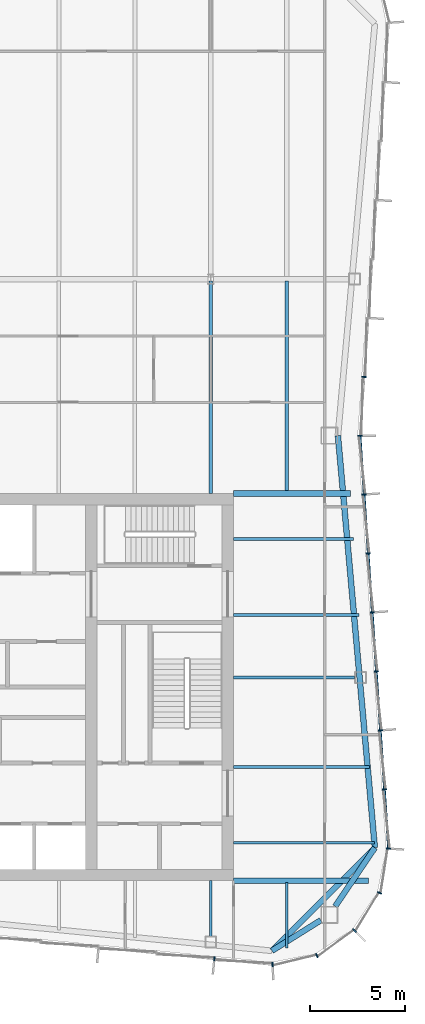
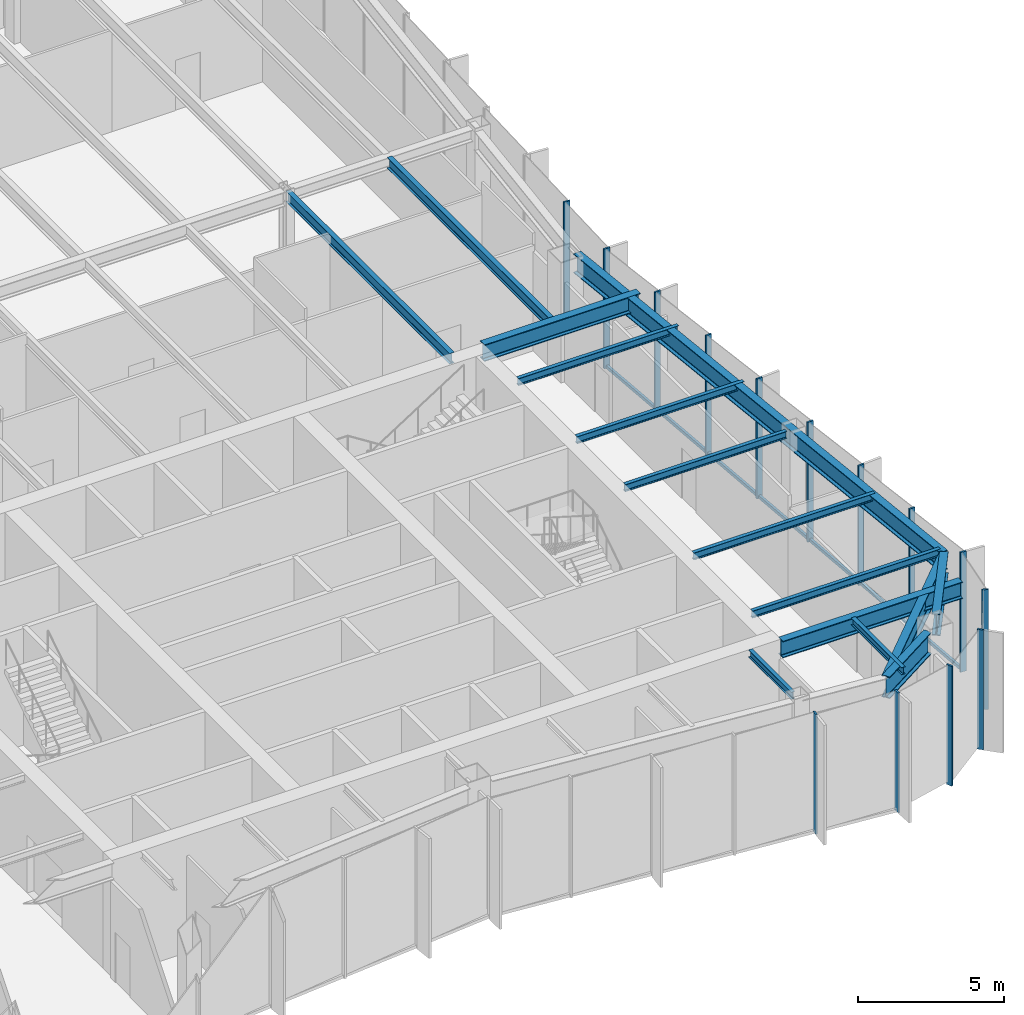
# One storey, part 5 of 14: 15 beams, 15 members, 3 elements without a shape of their own.
"""IFC4 building model written with IfcOpenShell, lengths in metres."""

from ifc_helpers import new_model, si_unit, direction, frame, origin, origin_2d, place, context, subcontext, project, spatial, rectangle, i_section, extrude, material, material_profile, profile_set, type_object, element, aggregate, save


model = new_model("IFC4")

# Units and contexts
model_context = context("Model", 3, precision=1e-05, world=origin(), true_north=direction((0.0, 1.0)))
body_context = subcontext(model_context, "Body", "Model", "MODEL_VIEW")
ifc_project = project(units=[si_unit("LENGTHUNIT", "METRE"), si_unit("AREAUNIT", "SQUARE_METRE"), si_unit("VOLUMEUNIT", "CUBIC_METRE"), si_unit("PLANEANGLEUNIT", "RADIAN"), si_unit("MASSUNIT", "GRAM", prefix="KILO")], contexts=[model_context])

# Site, building, storey
site_placement = place(None, origin())
site = spatial("IfcSite", under=ifc_project, at=site_placement, CompositionType="ELEMENT")
building_placement = place(site_placement, origin())
building = spatial("IfcBuilding", under=site, at=building_placement, Name="Verdant Reach Tower", CompositionType="ELEMENT")
storey_placement = place(building_placement, frame((0.0, 0.0, 289.0)))
storey = spatial("IfcBuildingStorey", under=building, at=storey_placement, Name="L66", CompositionType="ELEMENT", Elevation=289.0)

# Curtain wall, members
ifc_material_1 = material(Name="Anodised aluminium", Category="aluminium")
curtain_wall_type = type_object("IfcCurtainWallType", Name="EN-CW SYSTEM Z5", PredefinedType="NOTDEFINED", material=ifc_material_1)
curtain_wall_1_placement = place(storey_placement, origin())
curtain_wall_1 = element("IfcCurtainWall", 1, at=curtain_wall_1_placement, inside=storey, type_object=curtain_wall_type, Name="Curtain wall south-east corner, L66", PredefinedType="NOTDEFINED")
ifc_material_profile_1 = material_profile(ifc_material_1, rectangle(XDim=0.22998046875, YDim=0.070068359375, at=origin_2d()), Name="Mullion 70x230")
ifc_profile_set_1 = profile_set([ifc_material_profile_1], Name="Anodised aluminium")
member_type_1 = type_object("IfcMemberType", Name="EN-MULLION Z5", PredefinedType="MULLION", material=ifc_profile_set_1)
member_1_placement = place(storey_placement, frame((15.255615234375, 13.38525390625, -0.35009765625), z_axis=(0.0, 0.0, 1.0), x_axis=(0.049127596288, -0.998792510626, 0.0)))
member_1 = element("IfcMember", 2, at=member_1_placement, type_object=member_type_1, Name="Mullion south-east corner 1, L66", PredefinedType="MULLION", context=body_context, shape_type="SweptSolid", body=[
    extrude(rectangle(XDim=0.22998046875, YDim=0.070068359375, at=origin_2d()), origin(), (0.0, 0.0, 1.0), 5.0),
])
member_2_placement = place(storey_placement, frame((17.590087890625, 13.850341796875, -0.35009765625), z_axis=(0.0, 0.0, 1.0), x_axis=(0.382693853776, -0.923875215753, 0.0)))
member_2 = element("IfcMember", 3, at=member_2_placement, type_object=member_type_1, Name="Mullion south-east corner 2, L66", PredefinedType="MULLION", context=body_context, shape_type="SweptSolid", body=[
    extrude(rectangle(XDim=0.22998046875, YDim=0.070068359375, at=origin_2d()), origin(), (0.0, 0.0, 1.0), 5.0),
])
member_3_placement = place(storey_placement, frame((19.573974609375, 15.176025390625, -0.35009765625), z_axis=(0.0, 0.0, 1.0), x_axis=(0.707106781187, -0.707106781187, 0.0)))
member_3 = element("IfcMember", 4, at=member_3_placement, type_object=member_type_1, Name="Mullion south-east corner 3, L66", PredefinedType="MULLION", context=body_context, shape_type="SweptSolid", body=[
    extrude(rectangle(XDim=0.22998046875, YDim=0.070068359375, at=origin_2d()), origin(), (0.0, 0.0, 1.0), 5.0),
])
member_4_placement = place(storey_placement, frame((20.899658203125, 17.159912109375, -0.35009765625), z_axis=(0.0, 0.0, 1.0), x_axis=(0.923875215753, -0.382693853776, 0.0)))
member_4 = element("IfcMember", 5, at=member_4_placement, type_object=member_type_1, Name="Mullion south-east corner 4, L66", PredefinedType="MULLION", context=body_context, shape_type="SweptSolid", body=[
    extrude(rectangle(XDim=0.22998046875, YDim=0.070068359375, at=origin_2d()), origin(), (0.0, 0.0, 1.0), 5.0),
])
aggregate(curtain_wall_1, [member_1, member_2, member_3, member_4])

curtain_wall_2_placement = place(storey_placement, origin())
curtain_wall_2 = element("IfcCurtainWall", 6, at=curtain_wall_2_placement, inside=storey, type_object=curtain_wall_type, Name="Curtain wall east, L66", PredefinedType="NOTDEFINED")
member_5_placement = place(storey_placement, frame((21.36474609375, 19.49267578125, -0.35009765625), z_axis=(0.0, 0.0, 1.0), x_axis=(0.997969180898, -0.063698618332, 0.0)))
member_5 = element("IfcMember", 7, at=member_5_placement, type_object=member_type_1, Name="Mullion east face part 1 1, L66", PredefinedType="MULLION", context=body_context, shape_type="SweptSolid", body=[
    extrude(rectangle(XDim=0.22998046875, YDim=0.070068359375, at=origin_2d()), origin(), (0.0, 0.0, 1.0), 5.0),
])
member_6_placement = place(storey_placement, frame((21.150390625, 22.614990234375, -0.35009765625), z_axis=(0.0, 0.0, 1.0), x_axis=(0.997630328423, 0.068802091615, 0.0)))
member_6 = element("IfcMember", 8, at=member_6_placement, type_object=member_type_1, Name="Mullion east face part 1 2, L66", PredefinedType="MULLION", context=body_context, shape_type="SweptSolid", body=[
    extrude(rectangle(XDim=0.22998046875, YDim=0.070068359375, at=origin_2d()), origin(), (0.0, 0.0, 1.0), 5.0),
])
member_7_placement = place(storey_placement, frame((20.93603515625, 25.72216796875, -0.35009765625), z_axis=(0.0, 0.0, 1.0), x_axis=(0.997630328423, 0.068802091615, 0.0)))
member_7 = element("IfcMember", 9, at=member_7_placement, type_object=member_type_1, Name="Mullion east face part 1 3, L66", PredefinedType="MULLION", context=body_context, shape_type="SweptSolid", body=[
    extrude(rectangle(XDim=0.22998046875, YDim=0.070068359375, at=origin_2d()), origin(), (0.0, 0.0, 1.0), 5.0),
])
member_8_placement = place(storey_placement, frame((20.721923828125, 28.829345703125, -0.35009765625), z_axis=(0.0, 0.0, 1.0), x_axis=(0.997630328423, 0.068802091615, 0.0)))
member_8 = element("IfcMember", 10, at=member_8_placement, type_object=member_type_1, Name="Mullion east face part 1 4, L66", PredefinedType="MULLION", context=body_context, shape_type="SweptSolid", body=[
    extrude(rectangle(XDim=0.22998046875, YDim=0.070068359375, at=origin_2d()), origin(), (0.0, 0.0, 1.0), 5.0),
])
member_9_placement = place(storey_placement, frame((20.507568359375, 31.9365234375, -0.35009765625), z_axis=(0.0, 0.0, 1.0), x_axis=(0.997630328423, 0.068802091615, 0.0)))
member_9 = element("IfcMember", 11, at=member_9_placement, type_object=member_type_1, Name="Mullion east face part 1 5, L66", PredefinedType="MULLION", context=body_context, shape_type="SweptSolid", body=[
    extrude(rectangle(XDim=0.22998046875, YDim=0.070068359375, at=origin_2d()), origin(), (0.0, 0.0, 1.0), 5.0),
])
member_10_placement = place(storey_placement, frame((20.293212890625, 35.043701171875, -0.35009765625), z_axis=(0.0, 0.0, 1.0), x_axis=(0.997630328423, 0.068802091615, 0.0)))
member_10 = element("IfcMember", 12, at=member_10_placement, type_object=member_type_1, Name="Mullion east face part 1 6, L66", PredefinedType="MULLION", context=body_context, shape_type="SweptSolid", body=[
    extrude(rectangle(XDim=0.22998046875, YDim=0.070068359375, at=origin_2d()), origin(), (0.0, 0.0, 1.0), 5.0),
])
member_11_placement = place(storey_placement, frame((20.0791015625, 38.15087890625, -0.35009765625), z_axis=(0.0, 0.0, 1.0), x_axis=(0.997630328423, 0.068802091615, 0.0)))
member_11 = element("IfcMember", 13, at=member_11_placement, type_object=member_type_1, Name="Mullion east face part 1 7, L66", PredefinedType="MULLION", context=body_context, shape_type="SweptSolid", body=[
    extrude(rectangle(XDim=0.22998046875, YDim=0.070068359375, at=origin_2d()), origin(), (0.0, 0.0, 1.0), 5.0),
])
member_12_placement = place(storey_placement, frame((19.864990234375, 41.25, -0.35009765625), z_axis=(0.0, 0.0, 1.0), x_axis=(1.0, 0.0, 0.0)))
member_12 = element("IfcMember", 14, at=member_12_placement, type_object=member_type_1, Name="Mullion east face part 2 1, L66", PredefinedType="MULLION", context=body_context, shape_type="SweptSolid", body=[
    extrude(rectangle(XDim=0.22998046875, YDim=0.070068359375, at=origin_2d()), origin(), (0.0, 0.0, 1.0), 5.0),
])
member_13_placement = place(storey_placement, frame((20.0791015625, 44.34912109375, -0.35009765625), z_axis=(0.0, 0.0, 1.0), x_axis=(0.997630328423, -0.068802091615, 0.0)))
member_13 = element("IfcMember", 15, at=member_13_placement, type_object=member_type_1, Name="Mullion east face part 2 2, L66", PredefinedType="MULLION", context=body_context, shape_type="SweptSolid", body=[
    extrude(rectangle(XDim=0.22998046875, YDim=0.070068359375, at=origin_2d()), origin(), (0.0, 0.0, 1.0), 5.0),
])

# Curtain wall, member
curtain_wall_3_placement = place(storey_placement, origin())
curtain_wall_3 = element("IfcCurtainWall", 16, at=curtain_wall_3_placement, inside=storey, type_object=curtain_wall_type, Name="Curtain wall south, L66", PredefinedType="NOTDEFINED")
member_14_placement = place(storey_placement, frame((12.188720703125, 13.685546875, -0.35009765625), z_axis=(0.0, 0.0, 1.0), x_axis=(-0.09788826992, -0.995197410875, 0.0)))
member_14 = element("IfcMember", 17, at=member_14_placement, type_object=member_type_1, Name="Mullion south face part 2 5, L66", PredefinedType="MULLION", context=body_context, shape_type="SweptSolid", body=[
    extrude(rectangle(XDim=0.22998046875, YDim=0.070068359375, at=origin_2d()), origin(), (0.0, 0.0, 1.0), 5.0),
])
aggregate(curtain_wall_3, [member_14])

# Member
ifc_material_profile_2 = material_profile(ifc_material_1, rectangle(XDim=0.10009765625, YDim=0.1298828125, at=origin_2d()), Name="Transom 130x100")
ifc_profile_set_2 = profile_set([ifc_material_profile_2], Name="Anodised aluminium")
member_type_2 = type_object("IfcMemberType", Name="EN-TRANSOM Z5", PredefinedType="USERDEFINED", material=ifc_profile_set_2)
member_15_placement = place(storey_placement, frame((21.3623046875, 19.527587890625, -0.284912109375), z_axis=(-0.068764705107, 0.997632906099, 0.0), x_axis=(-0.997632906099, -0.068764705107, 0.0)))
member_15 = element("IfcMember", 18, at=member_15_placement, type_object=member_type_2, Name="Transom east face part 1 1.1, L66", ObjectType="TRANSOM", PredefinedType="USERDEFINED", context=body_context, shape_type="SweptSolid", body=[
    extrude(rectangle(XDim=0.10009765625, YDim=0.1298828125, at=origin_2d()), origin(), (0.0, 0.0, 1.0), 21.739013671875),
])

aggregate(curtain_wall_2, [member_5, member_6, member_7, member_8, member_9, member_10, member_11, member_15, member_12, member_13])

# Beams
ifc_material_2 = material(Name="Steel S355", Category="steel")
ifc_material_profile_3 = material_profile(ifc_material_2, i_section(OverallWidth=0.300048828125, OverallDepth=0.699951171875, WebThickness=0.01708984375, FlangeThickness=0.031982421875, FilletRadius=0.027099609375, at=origin_2d()), Name="HEB 700")
ifc_profile_set_3 = profile_set([ifc_material_profile_3], Name="Steel S355")
beam_type_1 = type_object("IfcBeamType", Name="ST-BEAM-HEB700", PredefinedType="BEAM", material=ifc_profile_set_3)
beam_1_placement = place(storey_placement, frame((13.199951171875, 38.199951171875, 4.52001953125), z_axis=(1.0, 0.0, 0.0), x_axis=(0.0, 1.0, 0.0)))
element("IfcBeam", 19, at=beam_1_placement, inside=storey, type_object=beam_type_1, Name="Trimmer beam, L66", PredefinedType="BEAM", context=body_context, shape_type="SweptSolid", body=[
    extrude(i_section(OverallWidth=0.300048828125, OverallDepth=0.699951171875, WebThickness=0.01708984375, FlangeThickness=0.031982421875, FilletRadius=0.027099609375, at=origin_2d()), origin(), (0.0, 0.0, 1.0), 6.158935546875),
])
beam_2_placement = place(storey_placement, frame((13.199951171875, 17.800048828125, 4.52001953125), z_axis=(1.0, 0.0, 0.0), x_axis=(0.0, 1.0, 0.0)))
element("IfcBeam", 20, at=beam_2_placement, inside=storey, type_object=beam_type_1, Name="Trimmer beam, L66", PredefinedType="BEAM", context=body_context, shape_type="SweptSolid", body=[
    extrude(i_section(OverallWidth=0.300048828125, OverallDepth=0.699951171875, WebThickness=0.01708984375, FlangeThickness=0.031982421875, FilletRadius=0.027099609375, at=origin_2d()), origin(), (0.0, 0.0, 1.0), 7.10009765625),
])
ifc_material_profile_4 = material_profile(ifc_material_2, i_section(OverallWidth=0.302001953125, OverallDepth=0.909912109375, WebThickness=0.02099609375, FlangeThickness=0.0400390625, FilletRadius=0.030029296875, at=origin_2d()), Name="HEM 900")
ifc_profile_set_4 = profile_set([ifc_material_profile_4], Name="Steel S355")
beam_type_2 = type_object("IfcBeamType", Name="ST-BEAM-HEM900", PredefinedType="BEAM", material=ifc_profile_set_4)
beam_3_placement = place(storey_placement, frame((17.800048828125, 15.71875, 4.4150390625), z_axis=(-0.847903624467, -0.530150397166, 0.0), x_axis=(0.530150397166, -0.847903624467, 0.0)))
element("IfcBeam", 21, at=beam_3_placement, inside=storey, type_object=beam_type_2, Name="Column stub beam, L66", PredefinedType="BEAM", context=body_context, shape_type="SweptSolid", body=[
    extrude(i_section(OverallWidth=0.302001953125, OverallDepth=0.909912109375, WebThickness=0.02099609375, FlangeThickness=0.0400390625, FilletRadius=0.030029296875, at=origin_2d()), origin(), (0.0, 0.0, 1.0), 3.042724609375),
])
beam_4_placement = place(storey_placement, frame((18.5546875, 16.449951171875, 4.4150390625), z_axis=(0.560667226688, 0.828041219335, 0.0), x_axis=(-0.828041219335, 0.560667226688, 0.0)))
element("IfcBeam", 22, at=beam_4_placement, inside=storey, type_object=beam_type_2, Name="Column stub beam, L66", PredefinedType="BEAM", context=body_context, shape_type="SweptSolid", body=[
    extrude(i_section(OverallWidth=0.302001953125, OverallDepth=0.909912109375, WebThickness=0.02099609375, FlangeThickness=0.0400390625, FilletRadius=0.030029296875, at=origin_2d()), origin(), (0.0, 0.0, 1.0), 3.72998046875),
])
ifc_material_profile_5 = material_profile(ifc_material_2, i_section(OverallWidth=0.14990234375, OverallDepth=0.300048828125, WebThickness=0.007080078125, FlangeThickness=0.0107421875, FilletRadius=0.014892578125, at=origin_2d()), Name="IPE 300")
ifc_profile_set_5 = profile_set([ifc_material_profile_5], Name="Steel S355")
beam_type_3 = type_object("IfcBeamType", Name="ST-JOIST-IPE300", PredefinedType="JOIST", material=ifc_profile_set_5)
beam_5_placement = place(storey_placement, frame((12.0, 17.800048828125, 4.719970703125), z_axis=(0.0, -1.0, 0.0), x_axis=(1.0, 0.0, 0.0)))
element("IfcBeam", 23, at=beam_5_placement, inside=storey, type_object=beam_type_3, Name="Floor joist, L66", PredefinedType="JOIST", context=body_context, shape_type="SweptSolid", body=[
    extrude(i_section(OverallWidth=0.14990234375, OverallDepth=0.300048828125, WebThickness=0.007080078125, FlangeThickness=0.0107421875, FilletRadius=0.014892578125, at=origin_2d()), origin(), (0.0, 0.0, 1.0), 2.930419921875),
])
beam_6_placement = place(storey_placement, frame((16.0, 17.699951171875, 4.719970703125), z_axis=(0.0, -1.0, 0.0), x_axis=(1.0, 0.0, 0.0)))
element("IfcBeam", 24, at=beam_6_placement, inside=storey, type_object=beam_type_3, Name="Floor joist, L66", PredefinedType="JOIST", context=body_context, shape_type="SweptSolid", body=[
    extrude(i_section(OverallWidth=0.14990234375, OverallDepth=0.300048828125, WebThickness=0.007080078125, FlangeThickness=0.0107421875, FilletRadius=0.014892578125, at=origin_2d()), origin(), (0.0, 0.0, 1.0), 3.43896484375),
])
beam_7_placement = place(storey_placement, frame((13.199951171875, 19.800048828125, 4.719970703125), z_axis=(1.0, 0.0, 0.0), x_axis=(0.0, 1.0, 0.0)))
element("IfcBeam", 25, at=beam_7_placement, inside=storey, type_object=beam_type_3, Name="Floor joist, L66", PredefinedType="JOIST", context=body_context, shape_type="SweptSolid", body=[
    extrude(i_section(OverallWidth=0.14990234375, OverallDepth=0.300048828125, WebThickness=0.007080078125, FlangeThickness=0.0107421875, FilletRadius=0.014892578125, at=origin_2d()), origin(), (0.0, 0.0, 1.0), 7.427978515625),
])
beam_8_placement = place(storey_placement, frame((13.199951171875, 23.800048828125, 4.719970703125), z_axis=(1.0, 0.0, 0.0), x_axis=(0.0, 1.0, 0.0)))
element("IfcBeam", 26, at=beam_8_placement, inside=storey, type_object=beam_type_3, Name="Floor joist, L66", PredefinedType="JOIST", context=body_context, shape_type="SweptSolid", body=[
    extrude(i_section(OverallWidth=0.14990234375, OverallDepth=0.300048828125, WebThickness=0.007080078125, FlangeThickness=0.0107421875, FilletRadius=0.014892578125, at=origin_2d()), origin(), (0.0, 0.0, 1.0), 7.152099609375),
])
beam_9_placement = place(storey_placement, frame((13.199951171875, 28.5, 4.719970703125), z_axis=(1.0, 0.0, 0.0), x_axis=(0.0, 1.0, 0.0)))
element("IfcBeam", 27, at=beam_9_placement, inside=storey, type_object=beam_type_3, Name="Floor joist, L66", PredefinedType="JOIST", context=body_context, shape_type="SweptSolid", body=[
    extrude(i_section(OverallWidth=0.14990234375, OverallDepth=0.300048828125, WebThickness=0.007080078125, FlangeThickness=0.0107421875, FilletRadius=0.014892578125, at=origin_2d()), origin(), (0.0, 0.0, 1.0), 6.37939453125),
])
beam_10_placement = place(storey_placement, frame((13.199951171875, 31.800048828125, 4.719970703125), z_axis=(1.0, 0.0, 0.0), x_axis=(0.0, 1.0, 0.0)))
element("IfcBeam", 28, at=beam_10_placement, inside=storey, type_object=beam_type_3, Name="Floor joist, L66", PredefinedType="JOIST", context=body_context, shape_type="SweptSolid", body=[
    extrude(i_section(OverallWidth=0.14990234375, OverallDepth=0.300048828125, WebThickness=0.007080078125, FlangeThickness=0.0107421875, FilletRadius=0.014892578125, at=origin_2d()), origin(), (0.0, 0.0, 1.0), 6.600341796875),
])
beam_11_placement = place(storey_placement, frame((13.199951171875, 35.800048828125, 4.719970703125), z_axis=(1.0, 0.0, 0.0), x_axis=(0.0, 1.0, 0.0)))
element("IfcBeam", 29, at=beam_11_placement, inside=storey, type_object=beam_type_3, Name="Floor joist, L66", PredefinedType="JOIST", context=body_context, shape_type="SweptSolid", body=[
    extrude(i_section(OverallWidth=0.14990234375, OverallDepth=0.300048828125, WebThickness=0.007080078125, FlangeThickness=0.0107421875, FilletRadius=0.014892578125, at=origin_2d()), origin(), (0.0, 0.0, 1.0), 6.324462890625),
])
ifc_material_profile_6 = material_profile(ifc_material_2, i_section(OverallWidth=0.18994140625, OverallDepth=0.449951171875, WebThickness=0.009521484375, FlangeThickness=0.0146484375, FilletRadius=0.02099609375, at=origin_2d()), Name="IPE 450")
ifc_profile_set_6 = profile_set([ifc_material_profile_6], Name="Steel S355")
beam_type_4 = type_object("IfcBeamType", Name="ST-JOIST-IPE450", PredefinedType="JOIST", material=ifc_profile_set_6)
beam_12_placement = place(storey_placement, frame((12.0, 38.199951171875, 4.64501953125), z_axis=(0.0, 1.0, 0.0), x_axis=(-1.0, 0.0, 0.0)))
element("IfcBeam", 30, at=beam_12_placement, inside=storey, type_object=beam_type_4, Name="Floor joist, L66", PredefinedType="JOIST", context=body_context, shape_type="SweptSolid", body=[
    extrude(i_section(OverallWidth=0.18994140625, OverallDepth=0.449951171875, WebThickness=0.009521484375, FlangeThickness=0.0146484375, FilletRadius=0.02099609375, at=origin_2d()), origin(), (0.0, 0.0, 1.0), 11.199951171875),
])
beam_13_placement = place(storey_placement, frame((16.0, 38.300048828125, 4.64501953125), z_axis=(0.0, 1.0, 0.0), x_axis=(-1.0, 0.0, 0.0)))
element("IfcBeam", 31, at=beam_13_placement, inside=storey, type_object=beam_type_4, Name="Floor joist, L66", PredefinedType="JOIST", context=body_context, shape_type="SweptSolid", body=[
    extrude(i_section(OverallWidth=0.18994140625, OverallDepth=0.449951171875, WebThickness=0.009521484375, FlangeThickness=0.0146484375, FilletRadius=0.02099609375, at=origin_2d()), origin(), (0.0, 0.0, 1.0), 11.099853515625),
])
ifc_material_profile_7 = material_profile(ifc_material_2, i_section(OverallWidth=0.300048828125, OverallDepth=0.800048828125, WebThickness=0.017578125, FlangeThickness=0.032958984375, FilletRadius=0.030029296875, at=origin_2d()), Name="HEB 800")
ifc_profile_set_7 = profile_set([ifc_material_profile_7], Name="Steel S355")
beam_type_5 = type_object("IfcBeamType", Name="ST-SPANDREL-HEB800", PredefinedType="SPANDREL", material=ifc_profile_set_7)
beam_14_placement = place(storey_placement, frame((18.699951171875, 41.25, 4.469970703125), z_axis=(0.089274399498, -0.996007069048, 0.0), x_axis=(0.996007069048, 0.089274399498, 0.0)))
element("IfcBeam", 32, at=beam_14_placement, inside=storey, type_object=beam_type_5, Name="Edge beam, L66", PredefinedType="SPANDREL", context=body_context, shape_type="SweptSolid", body=[
    extrude(i_section(OverallWidth=0.300048828125, OverallDepth=0.800048828125, WebThickness=0.017578125, FlangeThickness=0.032958984375, FilletRadius=0.030029296875, at=origin_2d()), origin(), (0.0, 0.0, 1.0), 21.798583984375),
])
ifc_material_profile_8 = material_profile(ifc_material_2, i_section(OverallWidth=0.302001953125, OverallDepth=0.909912109375, WebThickness=0.02099609375, FlangeThickness=0.0400390625, FilletRadius=0.030029296875, at=origin_2d()), Name="HEM 900")
ifc_profile_set_8 = profile_set([ifc_material_profile_8], Name="Steel S355")
beam_type_6 = type_object("IfcBeamType", Name="ST-SPANDREL-HEM900", PredefinedType="SPANDREL", material=ifc_profile_set_8)
beam_15_placement = place(storey_placement, frame((20.64599609375, 19.53857421875, 4.4150390625), z_axis=(-0.706645581521, -0.707567680237, 0.0), x_axis=(0.707567680237, -0.706645581521, 0.0)))
element("IfcBeam", 33, at=beam_15_placement, inside=storey, type_object=beam_type_6, Name="Edge beam, L66", PredefinedType="SPANDREL", context=body_context, shape_type="SweptSolid", body=[
    extrude(i_section(OverallWidth=0.302001953125, OverallDepth=0.909912109375, WebThickness=0.02099609375, FlangeThickness=0.0400390625, FilletRadius=0.030029296875, at=origin_2d()), origin(), (0.0, 0.0, 1.0), 7.67822265625),
])

save(model, "model.ifc")
